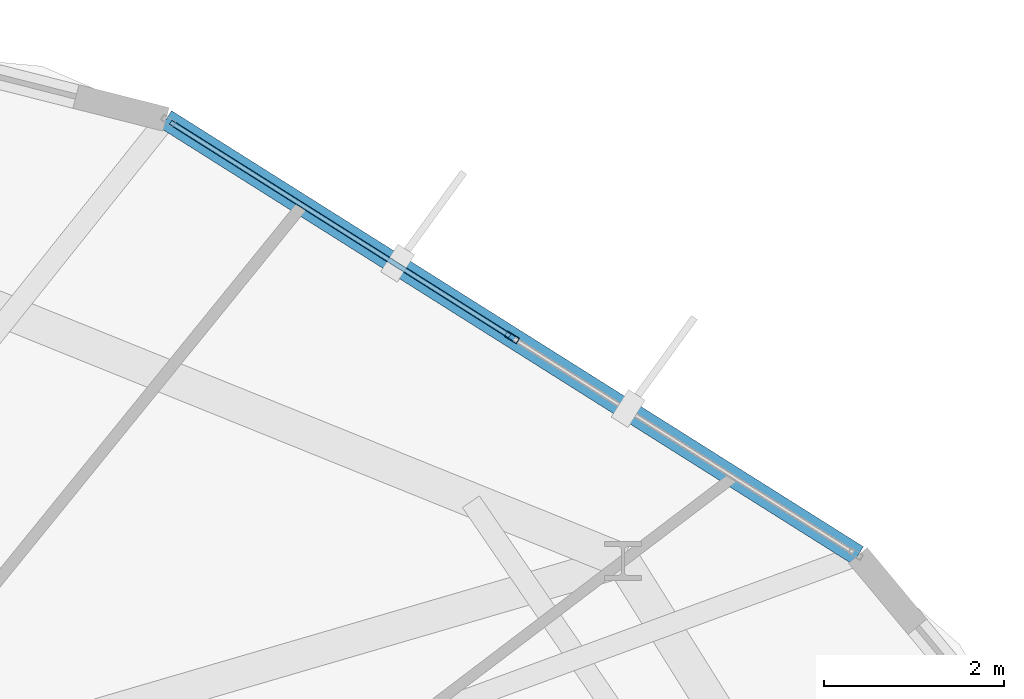
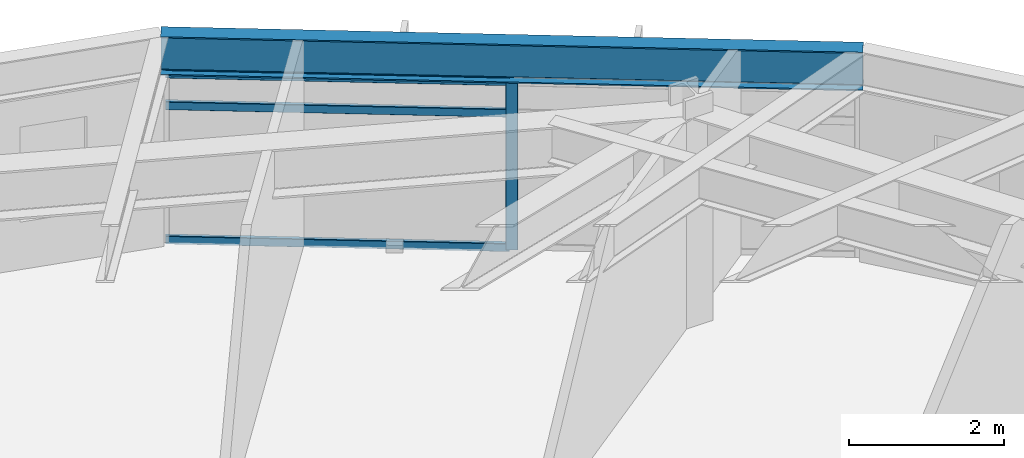
# One storey, part 15 of 24: 4 members, 1 beam, 1 element without a shape of its own.
"""IFC4 building model written with IfcOpenShell, lengths in metres."""

from ifc_helpers import new_model, si_unit, direction, frame, origin, origin_2d, place, context, subcontext, project, spatial, hollow_rectangle, i_section, extrude, material, layer, layer_set, material_profile, profile_set, type_object, element, aggregate, save


model = new_model("IFC4")

# Units and contexts
model_context = context("Model", 3, precision=1e-05, world=origin(), true_north=direction((0.0, 1.0)))
body_context = subcontext(model_context, "Body", "Model", "MODEL_VIEW")
ifc_project = project(units=[si_unit("LENGTHUNIT", "METRE"), si_unit("AREAUNIT", "SQUARE_METRE"), si_unit("VOLUMEUNIT", "CUBIC_METRE"), si_unit("PLANEANGLEUNIT", "RADIAN"), si_unit("MASSUNIT", "GRAM", prefix="KILO")], contexts=[model_context])

# Site, building, storey
site_placement = place(None, origin())
site = spatial("IfcSite", under=ifc_project, at=site_placement, CompositionType="ELEMENT")
building_placement = place(site_placement, origin())
building = spatial("IfcBuilding", under=site, at=building_placement, Name="Soratama Intermodal Tower", CompositionType="ELEMENT")
storey_placement = place(building_placement, frame((0.0, 0.0, 178.60009765625)))
storey = spatial("IfcBuildingStorey", under=building, at=storey_placement, Name="L44", CompositionType="ELEMENT", Elevation=178.60009765625)

# Beam
ifc_material_1 = material(Name="Structural steel ASTM A992 Grade 50", Category="steel")
ifc_material_profile_1 = material_profile(ifc_material_1, i_section(OverallWidth=0.22900390625, OverallDepth=0.612060546875, WebThickness=0.011962890625, FlangeThickness=0.01953125, FilletRadius=0.012939453125, at=origin_2d()), Name="W24X84")
ifc_profile_set_1 = profile_set([ifc_material_profile_1], Name="Structural steel ASTM A992 Grade 50")
beam_type = type_object("IfcBeamType", Name="BM-SPN-W24X84", PredefinedType="SPANDREL", material=ifc_profile_set_1)
beam_placement = place(storey_placement, frame((58.85888671875, 38.468017578125, 2.993896484375), z_axis=(-0.846015174791, 0.533158816886, 0.0), x_axis=(-0.533158816886, -0.846015174791, 0.0)))
element("IfcBeam", 1, at=beam_placement, inside=storey, type_object=beam_type, Name="BS-L44-F01", PredefinedType="SPANDREL", context=body_context, shape_type="SweptSolid", body=[
    extrude(i_section(OverallWidth=0.22900390625, OverallDepth=0.612060546875, WebThickness=0.011962890625, FlangeThickness=0.01953125, FilletRadius=0.012939453125, at=origin_2d()), origin(), (0.0, 0.0, 1.0), 9.08740234375),
])

# Curtain wall, members
ifc_material_2 = material(Name="Double-glazed aluminium curtain wall", Category="aluminium")
ifc_layer = layer(ifc_material_2, 0.159912109375)
ifc_layer_set = layer_set([ifc_layer], Name="Double-glazed aluminium curtain wall")
curtain_wall_type = type_object("IfcCurtainWallType", Name="CW-SYS-4", PredefinedType="NOTDEFINED", material=ifc_layer_set)
curtain_wall_placement = place(storey_placement, origin())
curtain_wall = element("IfcCurtainWall", 2, at=curtain_wall_placement, inside=storey, type_object=curtain_wall_type, Name="L44 Faceted Curtain Wall F01", PredefinedType="NOTDEFINED")
ifc_material_3 = material(Name="Anodised aluminium AA 6063-T6", Category="aluminium")
ifc_material_profile_2 = material_profile(ifc_material_3, hollow_rectangle(XDim=0.070068359375, YDim=0.159912109375, WallThickness=0.0048828125, InnerFilletRadius=0.0048828125, OuterFilletRadius=0.010009765625, at=origin_2d()), Name="CWM160X70X5")
ifc_profile_set_2 = profile_set([ifc_material_profile_2], Name="Anodised aluminium AA 6063-T6")
member_type_1 = type_object("IfcMemberType", Name="MT-CWM-4", PredefinedType="MULLION", material=ifc_profile_set_2)
member_1_placement = place(storey_placement, frame((55.0146484375, 40.890869140625, 0.0), z_axis=(0.0, 0.0, 1.0), x_axis=(-0.53316755759, -0.846009666336, 0.0)))
member_1 = element("IfcMember", 3, at=member_1_placement, type_object=member_type_1, Name="CW-4 mullion 2", PredefinedType="MULLION", context=body_context, shape_type="SweptSolid", body=[
    extrude(hollow_rectangle(XDim=0.070068359375, YDim=0.159912109375, WallThickness=0.0048828125, InnerFilletRadius=0.0048828125, OuterFilletRadius=0.010009765625, at=origin_2d()), origin(), (0.0, 0.0, 1.0), 2.678955078125),
])
ifc_material_4 = material(Name="Anodised aluminium AA 6063-T6", Category="aluminium")
ifc_material_profile_3 = material_profile(ifc_material_4, hollow_rectangle(XDim=0.06005859375, YDim=0.1298828125, WallThickness=0.0048828125, InnerFilletRadius=0.0048828125, OuterFilletRadius=0.010009765625, at=origin_2d()), Name="CWT130X60X5")
ifc_profile_set_3 = profile_set([ifc_material_profile_3], Name="Anodised aluminium AA 6063-T6")
member_type_2 = type_object("IfcMemberType", Name="TT-CWT-2", PredefinedType="USERDEFINED", material=ifc_profile_set_3)
member_2_placement = place(storey_placement, frame((54.9892578125, 40.90673828125, 0.02978515625), z_axis=(-0.845996563828, 0.533188347576, 0.0), x_axis=(-0.533188347576, -0.845996563828, 0.0)))
member_2 = element("IfcMember", 4, at=member_2_placement, type_object=member_type_2, Name="CW-4 transom 2.1", ObjectType="TRANSOM", PredefinedType="USERDEFINED", context=body_context, shape_type="SweptSolid", body=[
    extrude(hollow_rectangle(XDim=0.06005859375, YDim=0.1298828125, WallThickness=0.0048828125, InnerFilletRadius=0.0048828125, OuterFilletRadius=0.010009765625, at=origin_2d()), origin(), (0.0, 0.0, 1.0), 4.453369140625),
])
member_3_placement = place(storey_placement, frame((54.9892578125, 40.90673828125, 2.14990234375), z_axis=(-0.845996563828, 0.533188347576, 0.0), x_axis=(-0.533188347576, -0.845996563828, 0.0)))
member_3 = element("IfcMember", 5, at=member_3_placement, type_object=member_type_2, Name="CW-4 transom 2.2", ObjectType="TRANSOM", PredefinedType="USERDEFINED", context=body_context, shape_type="SweptSolid", body=[
    extrude(hollow_rectangle(XDim=0.06005859375, YDim=0.1298828125, WallThickness=0.0048828125, InnerFilletRadius=0.0048828125, OuterFilletRadius=0.010009765625, at=origin_2d()), origin(), (0.0, 0.0, 1.0), 4.453369140625),
])
member_4_placement = place(storey_placement, frame((54.9892578125, 40.90673828125, 2.64892578125), z_axis=(-0.845996563828, 0.533188347576, 0.0), x_axis=(-0.533188347576, -0.845996563828, 0.0)))
member_4 = element("IfcMember", 6, at=member_4_placement, type_object=member_type_2, Name="CW-4 transom 2.3", ObjectType="TRANSOM", PredefinedType="USERDEFINED", context=body_context, shape_type="SweptSolid", body=[
    extrude(hollow_rectangle(XDim=0.06005859375, YDim=0.1298828125, WallThickness=0.0048828125, InnerFilletRadius=0.0048828125, OuterFilletRadius=0.010009765625, at=origin_2d()), origin(), (0.0, 0.0, 1.0), 4.453369140625),
])
aggregate(curtain_wall, [member_1, member_2, member_3, member_4])

save(model, "model.ifc")
